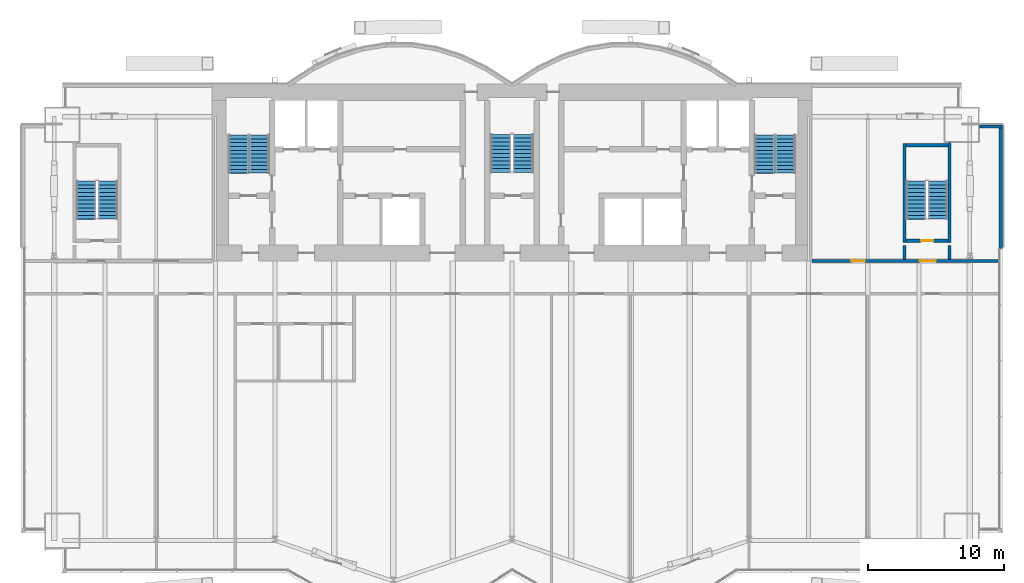
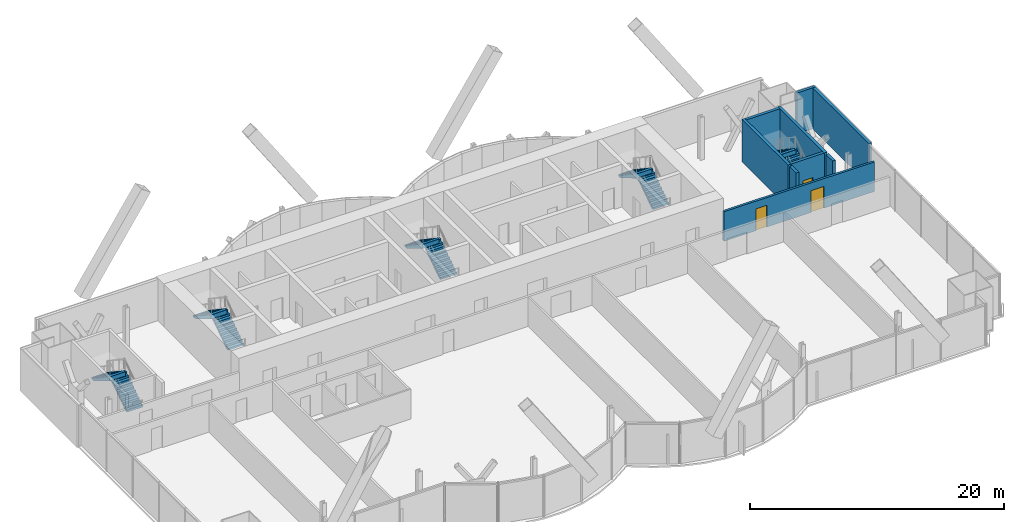
# One storey, part 19 of 22: 10 stair flights, 9 walls, 3 doors, 3 openings, 5 elements without a shape of their own.
"""IFC4 building model written with IfcOpenShell, lengths in metres."""

from ifc_helpers import new_model, si_unit, direction, frame, frame_2d, origin, place, context, subcontext, project, spatial, polyline, rectangle, outline, extrude, material, layer, layer_set, layer_usage, type_object, element, fill, aggregate, save


model = new_model("IFC4")

# Units and contexts
model_context = context("Model", 3, precision=1e-05, world=origin(), true_north=direction((0.0, 1.0)))
body_context = subcontext(model_context, "Body", "Model", "MODEL_VIEW")
ifc_project = project(units=[si_unit("LENGTHUNIT", "METRE"), si_unit("AREAUNIT", "SQUARE_METRE"), si_unit("VOLUMEUNIT", "CUBIC_METRE"), si_unit("PLANEANGLEUNIT", "RADIAN"), si_unit("MASSUNIT", "GRAM", prefix="KILO")], contexts=[model_context])

# Site, building, storey
site_placement = place(None, origin())
site = spatial("IfcSite", under=ifc_project, at=site_placement, CompositionType="ELEMENT")
building_placement = place(site_placement, origin())
building = spatial("IfcBuilding", under=site, at=building_placement, Name="Bicima Exchange Tower", CompositionType="ELEMENT")
storey_placement = place(building_placement, frame((0.0, 0.0, 144.5)))
storey = spatial("IfcBuildingStorey", under=building, at=storey_placement, Name="L31", CompositionType="ELEMENT", Elevation=144.5)

# Wall, openings, doors
ifc_material_1 = material(Name="Gypsum board partition")
ifc_layer_1 = layer(ifc_material_1, 0.199951171875)
ifc_layer_set_1 = layer_set([ifc_layer_1], Name="Gypsum board partition")
wall_type_1 = type_object("IfcWallType", Name="Fire-rated gypsum partition 200 EI60", PredefinedType="PARTITIONING", material=ifc_layer_set_1)
wall_1_placement = place(storey_placement, frame((22.0, -13.0, 0.0), z_axis=(0.0, 0.0, 1.0), x_axis=(1.0, 0.0, 0.0)))
wall_1 = element("IfcWall", 1, at=wall_1_placement, inside=storey, type_object=wall_type_1, Name="partition wall 5", PredefinedType="PARTITIONING", context=body_context, shape_type="SweptSolid", body=[
    extrude(rectangle(XDim=13.679931640625, YDim=0.199951171875, at=frame_2d((6.83984375, 0.0))), origin(), (0.0, 0.0, 1.0), 2.84033203125),
])
opening_1_placement = place(wall_1_placement, frame((7.89990234375, 0.0, 0.0)))
opening_1 = element("IfcOpeningElement", 2, at=opening_1_placement, cuts=wall_1, Name="Opening L31-003", PredefinedType="OPENING", context=body_context, shape_type="SweptSolid", body=[
    extrude(rectangle(XDim=1.199951171875, YDim=2.10009765625, at=frame_2d((0.60009765625, 1.050048828125))), frame((0.0, 0.11181640625, 0.0), z_axis=(0.0, -1.0, 0.0), x_axis=(1.0, 0.0, 0.0)), (0.0, 0.0, 1.0), 0.223876953125),
])
opening_2_placement = place(wall_1_placement, frame((2.89990234375, 0.0, 0.0)))
opening_2 = element("IfcOpeningElement", 3, at=opening_2_placement, cuts=wall_1, Name="Opening L31-006", PredefinedType="OPENING", context=body_context, shape_type="SweptSolid", body=[
    extrude(rectangle(XDim=1.0, YDim=2.10009765625, at=frame_2d((0.5, 1.050048828125))), frame((0.0, 0.11181640625, 0.0), z_axis=(0.0, -1.0, 0.0), x_axis=(1.0, 0.0, 0.0)), (0.0, 0.0, 1.0), 0.223876953125),
])
ifc_material_2 = material(Name="Steel fire door leaf", Category="steel")
door_type_1 = type_object("IfcDoorType", Name="Door 1000 swing FD30S", OperationType="SINGLE_SWING_LEFT", PredefinedType="DOOR", material=ifc_material_2)
door_1_placement = place(opening_2_placement, origin())
door_1 = element("IfcDoor", 4, at=door_1_placement, inside=storey, type_object=door_type_1, Name="Door", OperationType="SINGLE_SWING_RIGHT", OverallHeight=2.10009765625, OverallWidth=1.0, PredefinedType="DOOR", context=body_context, shape_type="SweptSolid", body=[
    extrude(rectangle(XDim=1.0, YDim=2.10009765625, at=frame_2d((0.5, 1.050048828125))), frame((0.0, 0.02490234375, 0.0), z_axis=(0.0, -1.0, 0.0), x_axis=(1.0, 0.0, 0.0)), (0.0, 0.0, 1.0), 0.050048828125),
])
fill(opening_2, door_1)
door_type_2 = type_object("IfcDoorType", Name="Door 1200 swing FD30S", OperationType="SINGLE_SWING_LEFT", PredefinedType="DOOR", material=ifc_material_2)
door_2_placement = place(opening_1_placement, origin())
door_2 = element("IfcDoor", 5, at=door_2_placement, inside=storey, type_object=door_type_2, Name="Door", OperationType="SINGLE_SWING_RIGHT", OverallHeight=2.10009765625, OverallWidth=1.199951171875, PredefinedType="DOOR", context=body_context, shape_type="SweptSolid", body=[
    extrude(rectangle(XDim=1.199951171875, YDim=2.10009765625, at=frame_2d((0.60009765625, 1.050048828125))), frame((0.0, 0.02490234375, 0.0), z_axis=(0.0, -1.0, 0.0), x_axis=(1.0, 0.0, 0.0)), (0.0, 0.0, 1.0), 0.050048828125),
])
fill(opening_1, door_2)

# Walls
ifc_material_3 = material(Name="Concrete C50/60", Category="concrete")
ifc_layer_2 = layer(ifc_material_3, 0.25)
ifc_layer_set_2 = layer_set([ifc_layer_2], Name="Concrete C50/60")
wall_type_2 = type_object("IfcWallType", Name="RC core wall 250 C50/60", PredefinedType="SHEAR", material=ifc_layer_set_2)
for number, where, z_axis, x_axis, name in (
    (6, (28.800048828125, -12.89990234375, 0.0), (0.0, 0.0, 1.0), (0.0, 1.0, 0.0), "stair wall 21"),
    (7, (32.10009765625, -12.89990234375, 0.0), (0.0, 0.0, 1.0), (0.0, 1.0, 0.0), "stair wall 22"),
):
    element("IfcWall", number, at=place(storey_placement, frame(where, z_axis=z_axis, x_axis=x_axis)), inside=storey, type_object=wall_type_2, Name=name, PredefinedType="SHEAR", context=body_context, shape_type="SweptSolid", body=[
        extrude(rectangle(XDim=1.0498046875, YDim=0.25, at=frame_2d((0.52490234375, 0.0))), origin(), (0.0, 0.0, 1.0), 4.10009765625),
    ])
ifc_layer_3 = layer(ifc_material_3, 0.25)
ifc_layer_set_3 = layer_set([ifc_layer_3], Name="Concrete C50/60")
wall_type_3 = type_object("IfcWallType", Name="RC stair enclosure wall 250 C50/60", PredefinedType="SHEAR", material=ifc_layer_set_3)
wall_2_placement = place(storey_placement, frame((28.800048828125, -11.625, 0.0), z_axis=(0.0, 0.0, 1.0), x_axis=(0.0, 1.0, 0.0)))
element("IfcWall", 8, at=wall_2_placement, inside=storey, type_object=wall_type_3, Name="East end exit stair wall W", PredefinedType="SHEAR", context=body_context, shape_type="SweptSolid", body=[
    extrude(rectangle(XDim=7.25, YDim=0.25, at=frame_2d((3.625, 0.0))), origin(), (0.0, 0.0, 1.0), 4.10009765625),
])
wall_3_placement = place(storey_placement, frame((32.10009765625, -11.625, 0.0), z_axis=(0.0, 0.0, 1.0), x_axis=(0.0, 1.0, 0.0)))
element("IfcWall", 9, at=wall_3_placement, inside=storey, type_object=wall_type_3, Name="East end exit stair wall E", PredefinedType="SHEAR", context=body_context, shape_type="SweptSolid", body=[
    extrude(rectangle(XDim=7.324951171875, YDim=0.25, at=frame_2d((3.66259765625, 0.0))), origin(), (0.0, 0.0, 1.0), 4.10009765625),
])

# Wall, opening, door
wall_4_placement = place(storey_placement, frame((28.925048828125, -11.5, 0.0), z_axis=(0.0, 0.0, 1.0), x_axis=(1.0, 0.0, 0.0)))
wall_4 = element("IfcWall", 10, at=wall_4_placement, inside=storey, type_object=wall_type_3, Name="East end exit stair wall S", PredefinedType="SHEAR", context=body_context, shape_type="SweptSolid", body=[
    extrude(rectangle(XDim=3.050048828125, YDim=0.25, at=frame_2d((1.52490234375, 0.0))), origin(), (0.0, 0.0, 1.0), 4.10009765625),
])
opening_3_placement = place(wall_4_placement, frame((1.10009765625, 0.0, 0.0)))
opening_3 = element("IfcOpeningElement", 11, at=opening_3_placement, cuts=wall_4, Name="Opening L31-004", PredefinedType="OPENING", context=body_context, shape_type="SweptSolid", body=[
    extrude(rectangle(XDim=0.89990234375, YDim=2.10009765625, at=frame_2d((0.449951171875, 1.050048828125))), frame((0.0, 0.136962890625, 0.0), z_axis=(0.0, -1.0, 0.0), x_axis=(1.0, 0.0, 0.0)), (0.0, 0.0, 1.0), 0.27392578125),
])
door_type_3 = type_object("IfcDoorType", Name="Door 900 swing FD60S", OperationType="SINGLE_SWING_LEFT", PredefinedType="DOOR", material=ifc_material_2)
door_3_placement = place(opening_3_placement, origin())
door_3 = element("IfcDoor", 12, at=door_3_placement, inside=storey, type_object=door_type_3, Name="Door", OperationType="SINGLE_SWING_LEFT", OverallHeight=2.10009765625, OverallWidth=0.89990234375, PredefinedType="DOOR", context=body_context, shape_type="SweptSolid", body=[
    extrude(rectangle(XDim=0.89990234375, YDim=2.10009765625, at=frame_2d((0.449951171875, 1.050048828125))), frame((0.0, 0.02490234375, 0.0), z_axis=(0.0, -1.0, 0.0), x_axis=(1.0, 0.0, 0.0)), (0.0, 0.0, 1.0), 0.050048828125),
])
fill(opening_3, door_3)

# Walls
wall_5_placement = place(storey_placement, frame((28.925048828125, -4.5, 0.0), z_axis=(0.0, 0.0, 1.0), x_axis=(1.0, 0.0, 0.0)))
element("IfcWall", 13, at=wall_5_placement, inside=storey, type_object=wall_type_3, Name="East end exit stair wall N", PredefinedType="SHEAR", context=body_context, shape_type="SweptSolid", body=[
    extrude(rectangle(XDim=3.050048828125, YDim=0.25, at=frame_2d((1.52490234375, 0.0))), origin(), (0.0, 0.0, 1.0), 4.10009765625),
])
ifc_material_4 = material(Name="Concrete C40/50", Category="concrete")
ifc_layer_4 = layer(ifc_material_4, 0.25)
ifc_layer_set_4 = layer_set([ifc_layer_4], Name="Concrete C40/50")
ifc_layer_usage = layer_usage(ifc_layer_set_4, "AXIS2", "POSITIVE", -0.125)
wall_type_4 = type_object("IfcWallType", Name="Rear backup wall 250", PredefinedType="STANDARD", material=ifc_layer_set_4)
wall_6_placement = place(storey_placement, frame((35.875, -12.090087890625, 0.0), z_axis=(0.0, 0.0, 1.0), x_axis=(0.0, 1.0, 0.0)))
element("IfcWall", 14, at=wall_6_placement, inside=storey, type_object=wall_type_4, material=ifc_layer_usage, Name="Rear backup wall L31 50", PredefinedType="STANDARD", context=body_context, shape_type="SweptSolid", body=[
    extrude(rectangle(XDim=9.090087890625, YDim=0.25, at=frame_2d((4.544921875, 0.0))), origin(), (0.0, 0.0, 1.0), 3.949951171875),
])
wall_7_placement = place(storey_placement, frame((36.0, -3.125, 0.0), z_axis=(0.0, 0.0, 1.0), x_axis=(-1.0, 0.0, 0.0)))
element("IfcWall", 15, at=wall_7_placement, inside=storey, type_object=wall_type_4, material=ifc_layer_usage, Name="Rear backup wall L31 51", PredefinedType="STANDARD", context=body_context, shape_type="SweptSolid", body=[
    extrude(rectangle(XDim=1.699951171875, YDim=0.25, at=frame_2d((0.85009765625, 0.0))), origin(), (0.0, 0.0, 1.0), 3.949951171875),
])

# Stair, stair flights
stair_type_1 = type_object("IfcStairType", Name="Exit stair", PredefinedType="HALF_TURN_STAIR", material=ifc_material_3)
stair_1_placement = place(storey_placement, origin())
stair_1 = element("IfcStair", 16, at=stair_1_placement, inside=storey, type_object=stair_type_1, Name="L31 West exit stair", PredefinedType="HALF_TURN_STAIR")
stair_flight_type_1 = type_object("IfcStairFlightType", Name="Stair flight RC", PredefinedType="STRAIGHT", material=ifc_material_3)
stair_flight_1_placement = place(storey_placement, frame((-18.52490234375, -6.550048828125, 0.0), z_axis=(0.0, 0.0, 1.0), x_axis=(0.0, 1.0, 0.0)))
stair_flight_1 = element("IfcStairFlight", 17, at=stair_flight_1_placement, type_object=stair_flight_type_1, Name="ST-W flight 1", NumberOfRisers=11, NumberOfTreads=10, PredefinedType="STRAIGHT", RiserHeight=0.186363636, TreadLength=0.28, context=body_context, shape_type="SweptSolid", body=[
    extrude(outline(polyline([(0.0, 0.0), (0.0, 0.186279296875), (0.280029296875, 0.186279296875), (0.280029296875, 0.372802734375), (0.56005859375, 0.372802734375), (0.56005859375, 0.55908203125), (0.840087890625, 0.55908203125), (0.840087890625, 0.745361328125), (1.1201171875, 0.745361328125), (1.1201171875, 0.931884765625), (1.39990234375, 0.931884765625), (1.39990234375, 1.1181640625), (1.679931640625, 1.1181640625), (1.679931640625, 1.304443359375), (1.9599609375, 1.304443359375), (1.9599609375, 1.490966796875), (2.239990234375, 1.490966796875), (2.239990234375, 1.67724609375), (2.52001953125, 1.67724609375), (2.52001953125, 1.863525390625), (2.800048828125, 1.863525390625), (2.800048828125, 2.050048828125), (2.800048828125, 1.68359375), (0.2705078125, 0.0), (0.0, 0.0)])), frame((0.0, 0.72509765625, 0.0), z_axis=(0.0, -1.0, 0.0), x_axis=(1.0, 0.0, 0.0)), (0.0, 0.0, 1.0), 1.449951171875),
])
stair_flight_2_placement = place(storey_placement, frame((-20.074951171875, -3.75, 2.050048828125), z_axis=(0.0, 0.0, 1.0), x_axis=(0.0, -1.0, 0.0)))
stair_flight_2 = element("IfcStairFlight", 18, at=stair_flight_2_placement, type_object=stair_flight_type_1, Name="ST-W flight 2", NumberOfRisers=11, NumberOfTreads=10, PredefinedType="STRAIGHT", RiserHeight=0.186363636, TreadLength=0.28, context=body_context, shape_type="SweptSolid", body=[
    extrude(outline(polyline([(0.0, 0.0), (0.0, 0.186279296875), (0.280029296875, 0.186279296875), (0.280029296875, 0.372802734375), (0.56005859375, 0.372802734375), (0.56005859375, 0.55908203125), (0.840087890625, 0.55908203125), (0.840087890625, 0.745361328125), (1.1201171875, 0.745361328125), (1.1201171875, 0.931884765625), (1.39990234375, 0.931884765625), (1.39990234375, 1.1181640625), (1.679931640625, 1.1181640625), (1.679931640625, 1.304443359375), (1.9599609375, 1.304443359375), (1.9599609375, 1.490966796875), (2.239990234375, 1.490966796875), (2.239990234375, 1.67724609375), (2.52001953125, 1.67724609375), (2.52001953125, 1.863525390625), (2.800048828125, 1.863525390625), (2.800048828125, 1.904052734375), (2.81494140625, 1.904052734375), (2.81494140625, 1.507080078125), (0.2705078125, 0.0), (0.0, 0.0)])), frame((0.0, 0.72509765625, 0.0), z_axis=(0.0, -1.0, 0.0), x_axis=(1.0, 0.0, 0.0)), (0.0, 0.0, 1.0), 1.449951171875),
])
aggregate(stair_1, [stair_flight_1, stair_flight_2])

stair_2_placement = place(storey_placement, origin())
stair_2 = element("IfcStair", 19, at=stair_2_placement, inside=storey, type_object=stair_type_1, Name="L31 East exit stair", PredefinedType="HALF_TURN_STAIR")
stair_flight_3_placement = place(storey_placement, frame((20.074951171875, -6.550048828125, 0.0), z_axis=(0.0, 0.0, 1.0), x_axis=(0.0, 1.0, 0.0)))
stair_flight_3 = element("IfcStairFlight", 20, at=stair_flight_3_placement, type_object=stair_flight_type_1, Name="ST-E flight 1", NumberOfRisers=11, NumberOfTreads=10, PredefinedType="STRAIGHT", RiserHeight=0.186363636, TreadLength=0.28, context=body_context, shape_type="SweptSolid", body=[
    extrude(outline(polyline([(0.0, 0.0), (0.0, 0.186279296875), (0.280029296875, 0.186279296875), (0.280029296875, 0.372802734375), (0.56005859375, 0.372802734375), (0.56005859375, 0.55908203125), (0.840087890625, 0.55908203125), (0.840087890625, 0.745361328125), (1.1201171875, 0.745361328125), (1.1201171875, 0.931884765625), (1.39990234375, 0.931884765625), (1.39990234375, 1.1181640625), (1.679931640625, 1.1181640625), (1.679931640625, 1.304443359375), (1.9599609375, 1.304443359375), (1.9599609375, 1.490966796875), (2.239990234375, 1.490966796875), (2.239990234375, 1.67724609375), (2.52001953125, 1.67724609375), (2.52001953125, 1.863525390625), (2.800048828125, 1.863525390625), (2.800048828125, 2.050048828125), (2.800048828125, 1.68359375), (0.2705078125, 0.0), (0.0, 0.0)])), frame((0.0, 0.72509765625, 0.0), z_axis=(0.0, -1.0, 0.0), x_axis=(1.0, 0.0, 0.0)), (0.0, 0.0, 1.0), 1.449951171875),
])
stair_flight_4_placement = place(storey_placement, frame((18.52490234375, -3.75, 2.050048828125), z_axis=(0.0, 0.0, 1.0), x_axis=(0.0, -1.0, 0.0)))
stair_flight_4 = element("IfcStairFlight", 21, at=stair_flight_4_placement, type_object=stair_flight_type_1, Name="ST-E flight 2", NumberOfRisers=11, NumberOfTreads=10, PredefinedType="STRAIGHT", RiserHeight=0.186363636, TreadLength=0.28, context=body_context, shape_type="SweptSolid", body=[
    extrude(outline(polyline([(0.0, 0.0), (0.0, 0.186279296875), (0.280029296875, 0.186279296875), (0.280029296875, 0.372802734375), (0.56005859375, 0.372802734375), (0.56005859375, 0.55908203125), (0.840087890625, 0.55908203125), (0.840087890625, 0.745361328125), (1.1201171875, 0.745361328125), (1.1201171875, 0.931884765625), (1.39990234375, 0.931884765625), (1.39990234375, 1.1181640625), (1.679931640625, 1.1181640625), (1.679931640625, 1.304443359375), (1.9599609375, 1.304443359375), (1.9599609375, 1.490966796875), (2.239990234375, 1.490966796875), (2.239990234375, 1.67724609375), (2.52001953125, 1.67724609375), (2.52001953125, 1.863525390625), (2.800048828125, 1.863525390625), (2.800048828125, 1.904052734375), (2.81494140625, 1.904052734375), (2.81494140625, 1.507080078125), (0.2705078125, 0.0), (0.0, 0.0)])), frame((0.0, 0.72509765625, 0.0), z_axis=(0.0, -1.0, 0.0), x_axis=(1.0, 0.0, 0.0)), (0.0, 0.0, 1.0), 1.449951171875),
])
aggregate(stair_2, [stair_flight_3, stair_flight_4])

stair_3_placement = place(storey_placement, origin())
stair_3 = element("IfcStair", 22, at=stair_3_placement, inside=storey, type_object=stair_type_1, Name="L31 West end exit stair", PredefinedType="HALF_TURN_STAIR")
stair_flight_5_placement = place(storey_placement, frame((-29.64990234375, -9.925048828125, 0.0), z_axis=(0.0, 0.0, 1.0), x_axis=(0.0, 1.0, 0.0)))
stair_flight_5 = element("IfcStairFlight", 23, at=stair_flight_5_placement, type_object=stair_flight_type_1, Name="ST-WW flight 1", NumberOfRisers=11, NumberOfTreads=10, PredefinedType="STRAIGHT", RiserHeight=0.186363636, TreadLength=0.28, context=body_context, shape_type="SweptSolid", body=[
    extrude(outline(polyline([(0.0, 0.0), (0.0, 0.186279296875), (0.280029296875, 0.186279296875), (0.280029296875, 0.372802734375), (0.56005859375, 0.372802734375), (0.56005859375, 0.55908203125), (0.840087890625, 0.55908203125), (0.840087890625, 0.745361328125), (1.1201171875, 0.745361328125), (1.1201171875, 0.931884765625), (1.39990234375, 0.931884765625), (1.39990234375, 1.1181640625), (1.679931640625, 1.1181640625), (1.679931640625, 1.304443359375), (1.9599609375, 1.304443359375), (1.9599609375, 1.490966796875), (2.239990234375, 1.490966796875), (2.239990234375, 1.67724609375), (2.52001953125, 1.67724609375), (2.52001953125, 1.863525390625), (2.800048828125, 1.863525390625), (2.800048828125, 2.050048828125), (2.800048828125, 1.68359375), (0.2705078125, 0.0), (0.0, 0.0)])), frame((0.0, 0.72509765625, 0.0), z_axis=(0.0, -1.0, 0.0), x_axis=(1.0, 0.0, 0.0)), (0.0, 0.0, 1.0), 1.449951171875),
])
stair_flight_6_placement = place(storey_placement, frame((-31.25, -7.125, 2.050048828125), z_axis=(0.0, 0.0, 1.0), x_axis=(0.0, -1.0, 0.0)))
stair_flight_6 = element("IfcStairFlight", 24, at=stair_flight_6_placement, type_object=stair_flight_type_1, Name="ST-WW flight 2", NumberOfRisers=11, NumberOfTreads=10, PredefinedType="STRAIGHT", RiserHeight=0.186363636, TreadLength=0.28, context=body_context, shape_type="SweptSolid", body=[
    extrude(outline(polyline([(0.0, 0.0), (0.0, 0.186279296875), (0.280029296875, 0.186279296875), (0.280029296875, 0.372802734375), (0.56005859375, 0.372802734375), (0.56005859375, 0.55908203125), (0.840087890625, 0.55908203125), (0.840087890625, 0.745361328125), (1.1201171875, 0.745361328125), (1.1201171875, 0.931884765625), (1.39990234375, 0.931884765625), (1.39990234375, 1.1181640625), (1.679931640625, 1.1181640625), (1.679931640625, 1.304443359375), (1.9599609375, 1.304443359375), (1.9599609375, 1.490966796875), (2.239990234375, 1.490966796875), (2.239990234375, 1.67724609375), (2.52001953125, 1.67724609375), (2.52001953125, 1.863525390625), (2.800048828125, 1.863525390625), (2.800048828125, 1.904052734375), (2.81494140625, 1.904052734375), (2.81494140625, 1.507080078125), (0.2705078125, 0.0), (0.0, 0.0)])), frame((0.0, 0.72509765625, 0.0), z_axis=(0.0, -1.0, 0.0), x_axis=(1.0, 0.0, 0.0)), (0.0, 0.0, 1.0), 1.449951171875),
])
aggregate(stair_3, [stair_flight_5, stair_flight_6])

stair_4_placement = place(storey_placement, origin())
stair_4 = element("IfcStair", 25, at=stair_4_placement, inside=storey, type_object=stair_type_1, Name="L31 East end exit stair", PredefinedType="HALF_TURN_STAIR")
stair_flight_7_placement = place(storey_placement, frame((31.25, -9.925048828125, 0.0), z_axis=(0.0, 0.0, 1.0), x_axis=(0.0, 1.0, 0.0)))
stair_flight_7 = element("IfcStairFlight", 26, at=stair_flight_7_placement, type_object=stair_flight_type_1, Name="ST-EE flight 1", NumberOfRisers=11, NumberOfTreads=10, PredefinedType="STRAIGHT", RiserHeight=0.186363636, TreadLength=0.28, context=body_context, shape_type="SweptSolid", body=[
    extrude(outline(polyline([(0.0, 0.0), (0.0, 0.186279296875), (0.280029296875, 0.186279296875), (0.280029296875, 0.372802734375), (0.56005859375, 0.372802734375), (0.56005859375, 0.55908203125), (0.840087890625, 0.55908203125), (0.840087890625, 0.745361328125), (1.1201171875, 0.745361328125), (1.1201171875, 0.931884765625), (1.39990234375, 0.931884765625), (1.39990234375, 1.1181640625), (1.679931640625, 1.1181640625), (1.679931640625, 1.304443359375), (1.9599609375, 1.304443359375), (1.9599609375, 1.490966796875), (2.239990234375, 1.490966796875), (2.239990234375, 1.67724609375), (2.52001953125, 1.67724609375), (2.52001953125, 1.863525390625), (2.800048828125, 1.863525390625), (2.800048828125, 2.050048828125), (2.800048828125, 1.68359375), (0.2705078125, 0.0), (0.0, 0.0)])), frame((0.0, 0.72509765625, 0.0), z_axis=(0.0, -1.0, 0.0), x_axis=(1.0, 0.0, 0.0)), (0.0, 0.0, 1.0), 1.449951171875),
])
stair_flight_8_placement = place(storey_placement, frame((29.64990234375, -7.125, 2.050048828125), z_axis=(0.0, 0.0, 1.0), x_axis=(0.0, -1.0, 0.0)))
stair_flight_8 = element("IfcStairFlight", 27, at=stair_flight_8_placement, type_object=stair_flight_type_1, Name="ST-EE flight 2", NumberOfRisers=11, NumberOfTreads=10, PredefinedType="STRAIGHT", RiserHeight=0.186363636, TreadLength=0.28, context=body_context, shape_type="SweptSolid", body=[
    extrude(outline(polyline([(0.0, 0.0), (0.0, 0.186279296875), (0.280029296875, 0.186279296875), (0.280029296875, 0.372802734375), (0.56005859375, 0.372802734375), (0.56005859375, 0.55908203125), (0.840087890625, 0.55908203125), (0.840087890625, 0.745361328125), (1.1201171875, 0.745361328125), (1.1201171875, 0.931884765625), (1.39990234375, 0.931884765625), (1.39990234375, 1.1181640625), (1.679931640625, 1.1181640625), (1.679931640625, 1.304443359375), (1.9599609375, 1.304443359375), (1.9599609375, 1.490966796875), (2.239990234375, 1.490966796875), (2.239990234375, 1.67724609375), (2.52001953125, 1.67724609375), (2.52001953125, 1.863525390625), (2.800048828125, 1.863525390625), (2.800048828125, 1.904052734375), (2.81494140625, 1.904052734375), (2.81494140625, 1.507080078125), (0.2705078125, 0.0), (0.0, 0.0)])), frame((0.0, 0.72509765625, 0.0), z_axis=(0.0, -1.0, 0.0), x_axis=(1.0, 0.0, 0.0)), (0.0, 0.0, 1.0), 1.449951171875),
])
aggregate(stair_4, [stair_flight_7, stair_flight_8])

stair_type_2 = type_object("IfcStairType", Name="Exit stair 1500", PredefinedType="HALF_TURN_STAIR", material=ifc_material_3)
stair_5_placement = place(storey_placement, origin())
stair_5 = element("IfcStair", 28, at=stair_5_placement, inside=storey, type_object=stair_type_2, Name="L31 Central exit stair", PredefinedType="HALF_TURN_STAIR")
stair_flight_type_2 = type_object("IfcStairFlightType", Name="Stair flight RC 1500", PredefinedType="STRAIGHT", material=ifc_material_3)
stair_flight_9_placement = place(storey_placement, frame((0.824951171875, -6.5, 0.0), z_axis=(0.0, 0.0, 1.0), x_axis=(0.0, 1.0, 0.0)))
stair_flight_9 = element("IfcStairFlight", 29, at=stair_flight_9_placement, type_object=stair_flight_type_2, Name="ST-C flight 1", NumberOfRisers=11, NumberOfTreads=10, PredefinedType="STRAIGHT", RiserHeight=0.186363636, TreadLength=0.28, context=body_context, shape_type="SweptSolid", body=[
    extrude(outline(polyline([(0.0, 0.0), (0.0, 0.186279296875), (0.280029296875, 0.186279296875), (0.280029296875, 0.372802734375), (0.56005859375, 0.372802734375), (0.56005859375, 0.55908203125), (0.840087890625, 0.55908203125), (0.840087890625, 0.745361328125), (1.1201171875, 0.745361328125), (1.1201171875, 0.931884765625), (1.39990234375, 0.931884765625), (1.39990234375, 1.1181640625), (1.679931640625, 1.1181640625), (1.679931640625, 1.304443359375), (1.9599609375, 1.304443359375), (1.9599609375, 1.490966796875), (2.239990234375, 1.490966796875), (2.239990234375, 1.67724609375), (2.52001953125, 1.67724609375), (2.52001953125, 1.863525390625), (2.800048828125, 1.863525390625), (2.800048828125, 2.050048828125), (2.800048828125, 1.68359375), (0.2705078125, 0.0), (0.0, 0.0)])), frame((0.0, 0.75, 0.0), z_axis=(0.0, -1.0, 0.0), x_axis=(1.0, 0.0, 0.0)), (0.0, 0.0, 1.0), 1.5),
])
stair_flight_10_placement = place(storey_placement, frame((-0.824951171875, -3.699951171875, 2.050048828125), z_axis=(0.0, 0.0, 1.0), x_axis=(0.0, -1.0, 0.0)))
stair_flight_10 = element("IfcStairFlight", 30, at=stair_flight_10_placement, type_object=stair_flight_type_2, Name="ST-C flight 2", NumberOfRisers=11, NumberOfTreads=10, PredefinedType="STRAIGHT", RiserHeight=0.186363636, TreadLength=0.28, context=body_context, shape_type="SweptSolid", body=[
    extrude(outline(polyline([(0.0, 0.0), (0.0, 0.186279296875), (0.280029296875, 0.186279296875), (0.280029296875, 0.372802734375), (0.56005859375, 0.372802734375), (0.56005859375, 0.55908203125), (0.840087890625, 0.55908203125), (0.840087890625, 0.745361328125), (1.1201171875, 0.745361328125), (1.1201171875, 0.931884765625), (1.39990234375, 0.931884765625), (1.39990234375, 1.1181640625), (1.679931640625, 1.1181640625), (1.679931640625, 1.304443359375), (1.9599609375, 1.304443359375), (1.9599609375, 1.490966796875), (2.239990234375, 1.490966796875), (2.239990234375, 1.67724609375), (2.52001953125, 1.67724609375), (2.52001953125, 1.863525390625), (2.800048828125, 1.863525390625), (2.800048828125, 1.904052734375), (2.81494140625, 1.904052734375), (2.81494140625, 1.507080078125), (0.2705078125, 0.0), (0.0, 0.0)])), frame((0.0, 0.75, 0.0), z_axis=(0.0, -1.0, 0.0), x_axis=(1.0, 0.0, 0.0)), (0.0, 0.0, 1.0), 1.5),
])
aggregate(stair_5, [stair_flight_9, stair_flight_10])

save(model, "model.ifc")
